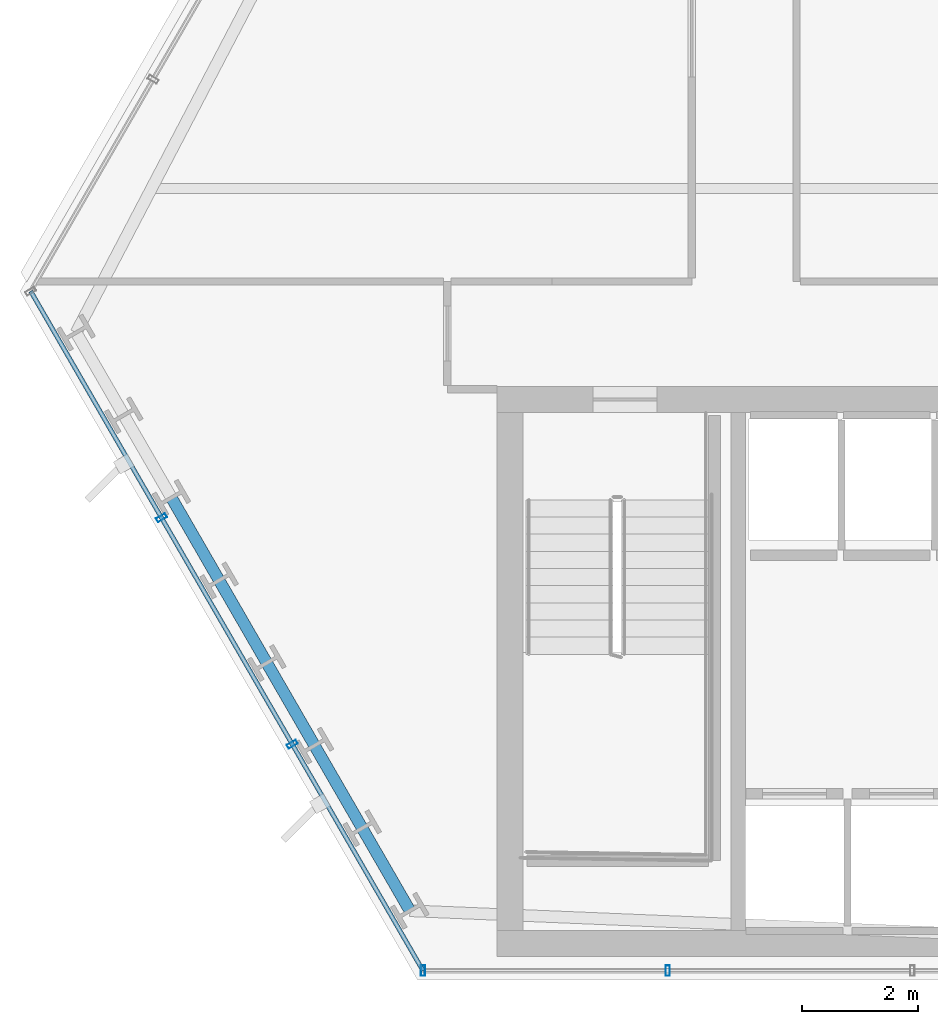
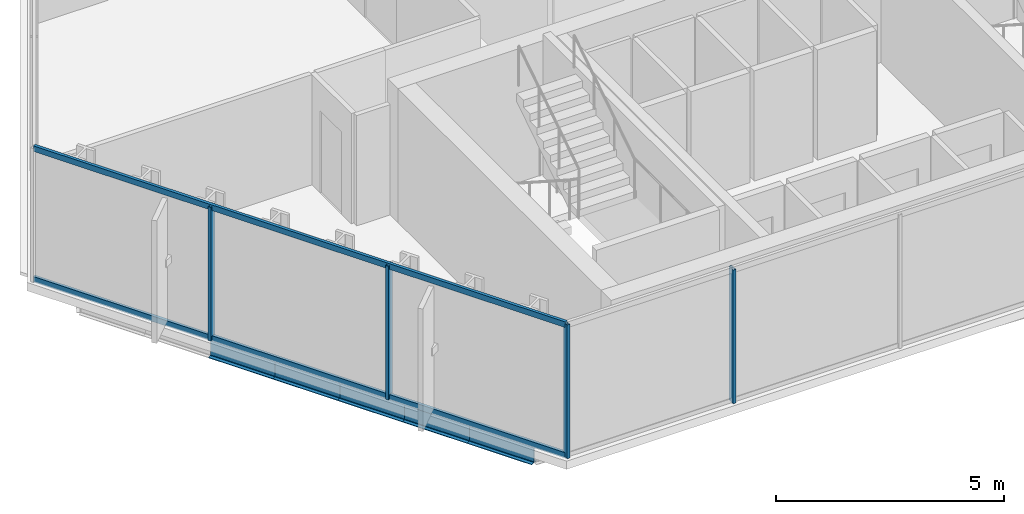
# One storey, part 2 of 31: 6 members, 5 beams, 2 elements without a shape of their own.
"""IFC4 building model written with IfcOpenShell, lengths in metres."""

from ifc_helpers import new_model, si_unit, direction, frame, origin, origin_2d, place, context, subcontext, project, spatial, hollow_rectangle, i_section, extrude, material, layer, layer_set, material_profile, profile_set, type_object, element, aggregate, save


model = new_model("IFC4")

# Units and contexts
model_context = context("Model", 3, precision=1e-05, world=origin(), true_north=direction((0.0, 1.0)))
body_context = subcontext(model_context, "Body", "Model", "MODEL_VIEW")
ifc_project = project(units=[si_unit("LENGTHUNIT", "METRE"), si_unit("AREAUNIT", "SQUARE_METRE"), si_unit("VOLUMEUNIT", "CUBIC_METRE"), si_unit("PLANEANGLEUNIT", "RADIAN"), si_unit("MASSUNIT", "GRAM", prefix="KILO")], contexts=[model_context])

# Site, building, storey
site_placement = place(None, origin())
site = spatial("IfcSite", under=ifc_project, at=site_placement, CompositionType="ELEMENT")
building_placement = place(site_placement, origin())
building = spatial("IfcBuilding", under=site, at=building_placement, Name="Ndaravel Arena Tower", CompositionType="ELEMENT")
storey_placement = place(building_placement, frame((0.0, 0.0, 100.60009765625)))
storey = spatial("IfcBuildingStorey", under=building, at=storey_placement, Name="L23", CompositionType="ELEMENT", Elevation=100.60009765625)

# Beams
ifc_material_1 = material(Name="Steel S355", Category="steel")
ifc_material_profile_1 = material_profile(ifc_material_1, i_section(OverallWidth=0.199951171875, OverallDepth=0.5, WebThickness=0.01025390625, FlangeThickness=0.01611328125, FilletRadius=0.02099609375, at=origin_2d()), Name="IPE 500")
ifc_profile_set_1 = profile_set([ifc_material_profile_1], Name="Steel S355")
beam_type = type_object("IfcBeamType", Name="BM-SPAN-IPE500", PredefinedType="SPANDREL", material=ifc_profile_set_1)
beam_1_placement = place(storey_placement, frame((20.860595703125, 13.284912109375, -0.47021484375), z_axis=(0.499937439699, -0.866061519979, 0.0), x_axis=(0.866061519979, 0.499937439699, 0.0)))
element("IfcBeam", 1, at=beam_1_placement, inside=storey, type_object=beam_type, Name="L23 Perimeter Spandrel Beam SP-22", PredefinedType="SPANDREL", context=body_context, shape_type="SweptSolid", body=[
    extrude(i_section(OverallWidth=0.199951171875, OverallDepth=0.5, WebThickness=0.01025390625, FlangeThickness=0.01611328125, FilletRadius=0.02099609375, at=origin_2d()), origin(), (0.0, 0.0, 1.0), 1.638427734375),
])
beam_2_placement = place(storey_placement, frame((21.6796875, 11.865966796875, -0.47021484375), z_axis=(0.499984679161, -0.866034249094, 0.0), x_axis=(0.866034249094, 0.499984679161, 0.0)))
element("IfcBeam", 2, at=beam_2_placement, inside=storey, type_object=beam_type, Name="L23 Perimeter Spandrel Beam SP-23", PredefinedType="SPANDREL", context=body_context, shape_type="SweptSolid", body=[
    extrude(i_section(OverallWidth=0.199951171875, OverallDepth=0.5, WebThickness=0.01025390625, FlangeThickness=0.01611328125, FilletRadius=0.02099609375, at=origin_2d()), origin(), (0.0, 0.0, 1.0), 1.638671875),
])
beam_3_placement = place(storey_placement, frame((22.4990234375, 10.44677734375, -0.47021484375), z_axis=(0.500049196018, -0.865996998587, 0.0), x_axis=(0.865996998587, 0.500049196018, 0.0)))
element("IfcBeam", 3, at=beam_3_placement, inside=storey, type_object=beam_type, Name="L23 Perimeter Spandrel Beam SP-24", PredefinedType="SPANDREL", context=body_context, shape_type="SweptSolid", body=[
    extrude(i_section(OverallWidth=0.199951171875, OverallDepth=0.5, WebThickness=0.01025390625, FlangeThickness=0.01611328125, FilletRadius=0.02099609375, at=origin_2d()), origin(), (0.0, 0.0, 1.0), 1.638427734375),
])
beam_4_placement = place(storey_placement, frame((23.318359375, 9.02783203125, -0.47021484375), z_axis=(0.499984679161, -0.866034249094, 0.0), x_axis=(0.866034249094, 0.499984679161, 0.0)))
element("IfcBeam", 4, at=beam_4_placement, inside=storey, type_object=beam_type, Name="L23 Perimeter Spandrel Beam SP-25", PredefinedType="SPANDREL", context=body_context, shape_type="SweptSolid", body=[
    extrude(i_section(OverallWidth=0.199951171875, OverallDepth=0.5, WebThickness=0.01025390625, FlangeThickness=0.01611328125, FilletRadius=0.02099609375, at=origin_2d()), origin(), (0.0, 0.0, 1.0), 1.638671875),
])
beam_5_placement = place(storey_placement, frame((24.1376953125, 7.608642578125, -0.47021484375), z_axis=(0.500049196018, -0.865996998587, 0.0), x_axis=(0.865996998587, 0.500049196018, 0.0)))
element("IfcBeam", 5, at=beam_5_placement, inside=storey, type_object=beam_type, Name="L23 Perimeter Spandrel Beam SP-26", PredefinedType="SPANDREL", context=body_context, shape_type="SweptSolid", body=[
    extrude(i_section(OverallWidth=0.199951171875, OverallDepth=0.5, WebThickness=0.01025390625, FlangeThickness=0.01611328125, FilletRadius=0.02099609375, at=origin_2d()), origin(), (0.0, 0.0, 1.0), 1.638427734375),
])

# Curtain wall, members
ifc_material_2 = material(Name="Aluminium", Category="aluminium")
ifc_layer_1 = layer(ifc_material_2, 0.179931640625)
ifc_layer_set_1 = layer_set([ifc_layer_1], Name="Aluminium")
curtain_wall_type_1 = type_object("IfcCurtainWallType", Name="CW-SYS-03", PredefinedType="NOTDEFINED", material=ifc_layer_set_1)
curtain_wall_1_placement = place(storey_placement, origin())
curtain_wall_1 = element("IfcCurtainWall", 6, at=curtain_wall_1_placement, inside=storey, type_object=curtain_wall_type_1, Name="L23 Faceted Crystal Curtain Wall CW-L23-E01", PredefinedType="NOTDEFINED")
ifc_material_3 = material(Name="Aluminium", Category="aluminium")
ifc_material_profile_2 = material_profile(ifc_material_3, hollow_rectangle(XDim=0.074951171875, YDim=0.179931640625, WallThickness=0.00390625, at=origin_2d()), Name="CW MULLION 75x180x4")
ifc_profile_set_2 = profile_set([ifc_material_profile_2], Name="Aluminium")
member_type_1 = type_object("IfcMemberType", Name="MEM-CW-MUL180", PredefinedType="MULLION", material=ifc_profile_set_2)
member_1_placement = place(storey_placement, frame((25.181884765625, 5.159912109375, 0.0), z_axis=(0.0, 0.0, 1.0), x_axis=(1.0, 0.0, 0.0)))
member_1 = element("IfcMember", 7, at=member_1_placement, type_object=member_type_1, Name="CW-L23-E01 Mullion 00", PredefinedType="MULLION", context=body_context, shape_type="SweptSolid", body=[
    extrude(hollow_rectangle(XDim=0.074951171875, YDim=0.179931640625, WallThickness=0.00390625, at=origin_2d()), origin(), (0.0, 0.0, 1.0), 3.579833984375),
])
member_2_placement = place(storey_placement, frame((29.386474609375, 5.159912109375, 0.0), z_axis=(0.0, 0.0, 1.0), x_axis=(1.0, 0.0, 0.0)))
member_2 = element("IfcMember", 8, at=member_2_placement, type_object=member_type_1, Name="CW-L23-E01 Mullion 01", PredefinedType="MULLION", context=body_context, shape_type="SweptSolid", body=[
    extrude(hollow_rectangle(XDim=0.074951171875, YDim=0.179931640625, WallThickness=0.00390625, at=origin_2d()), origin(), (0.0, 0.0, 1.0), 3.579833984375),
])
aggregate(curtain_wall_1, [member_1, member_2])

ifc_material_4 = material(Name="Aluminium", Category="aluminium")
ifc_layer_2 = layer(ifc_material_4, 0.179931640625)
ifc_layer_set_2 = layer_set([ifc_layer_2], Name="Aluminium")
curtain_wall_type_2 = type_object("IfcCurtainWallType", Name="CW-SYS-02", PredefinedType="NOTDEFINED", material=ifc_layer_set_2)
curtain_wall_2_placement = place(storey_placement, origin())
curtain_wall_2 = element("IfcCurtainWall", 9, at=curtain_wall_2_placement, inside=storey, type_object=curtain_wall_type_2, Name="L23 Faceted Crystal Curtain Wall CW-L23-E06", PredefinedType="NOTDEFINED")
member_3_placement = place(storey_placement, frame((20.689208984375, 12.94189453125, 0.0), z_axis=(0.0, 0.0, 1.0), x_axis=(0.5, -0.866025403784, 0.0)))
member_3 = element("IfcMember", 10, at=member_3_placement, type_object=member_type_1, Name="CW-L23-E06 Mullion 01", PredefinedType="MULLION", context=body_context, shape_type="SweptSolid", body=[
    extrude(hollow_rectangle(XDim=0.074951171875, YDim=0.179931640625, WallThickness=0.00390625, at=origin_2d()), origin(), (0.0, 0.0, 1.0), 3.579833984375),
])
member_4_placement = place(storey_placement, frame((22.935546875, 9.05078125, 0.0), z_axis=(0.0, 0.0, 1.0), x_axis=(0.5, -0.866025403784, 0.0)))
member_4 = element("IfcMember", 11, at=member_4_placement, type_object=member_type_1, Name="CW-L23-E06 Mullion 02", PredefinedType="MULLION", context=body_context, shape_type="SweptSolid", body=[
    extrude(hollow_rectangle(XDim=0.074951171875, YDim=0.179931640625, WallThickness=0.00390625, at=origin_2d()), origin(), (0.0, 0.0, 1.0), 3.579833984375),
])
ifc_material_5 = material(Name="Aluminium", Category="aluminium")
ifc_material_profile_3 = material_profile(ifc_material_5, hollow_rectangle(XDim=0.074951171875, YDim=0.14990234375, WallThickness=0.00390625, at=origin_2d()), Name="CW TRANSOM 75x150x4")
ifc_profile_set_3 = profile_set([ifc_material_profile_3], Name="Aluminium")
member_type_2 = type_object("IfcMemberType", Name="MEM-CW-TRN150", PredefinedType="USERDEFINED", material=ifc_profile_set_3)
member_5_placement = place(storey_placement, frame((18.442626953125, 16.832763671875, 0.039794921875), z_axis=(0.499996317533, -0.866027529847, 0.0), x_axis=(0.866027529847, 0.499996317533, 0.0)))
member_5 = element("IfcMember", 12, at=member_5_placement, type_object=member_type_2, Name="CW-L23-E06 Transom 01", ObjectType="TRANSOM", PredefinedType="USERDEFINED", context=body_context, shape_type="SweptSolid", body=[
    extrude(hollow_rectangle(XDim=0.074951171875, YDim=0.14990234375, WallThickness=0.00390625, at=origin_2d()), origin(), (0.0, 0.0, 1.0), 13.478515625),
])
member_6_placement = place(storey_placement, frame((18.442626953125, 16.832763671875, 3.539794921875), z_axis=(0.499996317533, -0.866027529847, 0.0), x_axis=(0.866027529847, 0.499996317533, 0.0)))
member_6 = element("IfcMember", 13, at=member_6_placement, type_object=member_type_2, Name="CW-L23-E06 Transom 02", ObjectType="TRANSOM", PredefinedType="USERDEFINED", context=body_context, shape_type="SweptSolid", body=[
    extrude(hollow_rectangle(XDim=0.074951171875, YDim=0.14990234375, WallThickness=0.00390625, at=origin_2d()), origin(), (0.0, 0.0, 1.0), 13.478515625),
])
aggregate(curtain_wall_2, [member_3, member_4, member_5, member_6])

save(model, "model.ifc")
